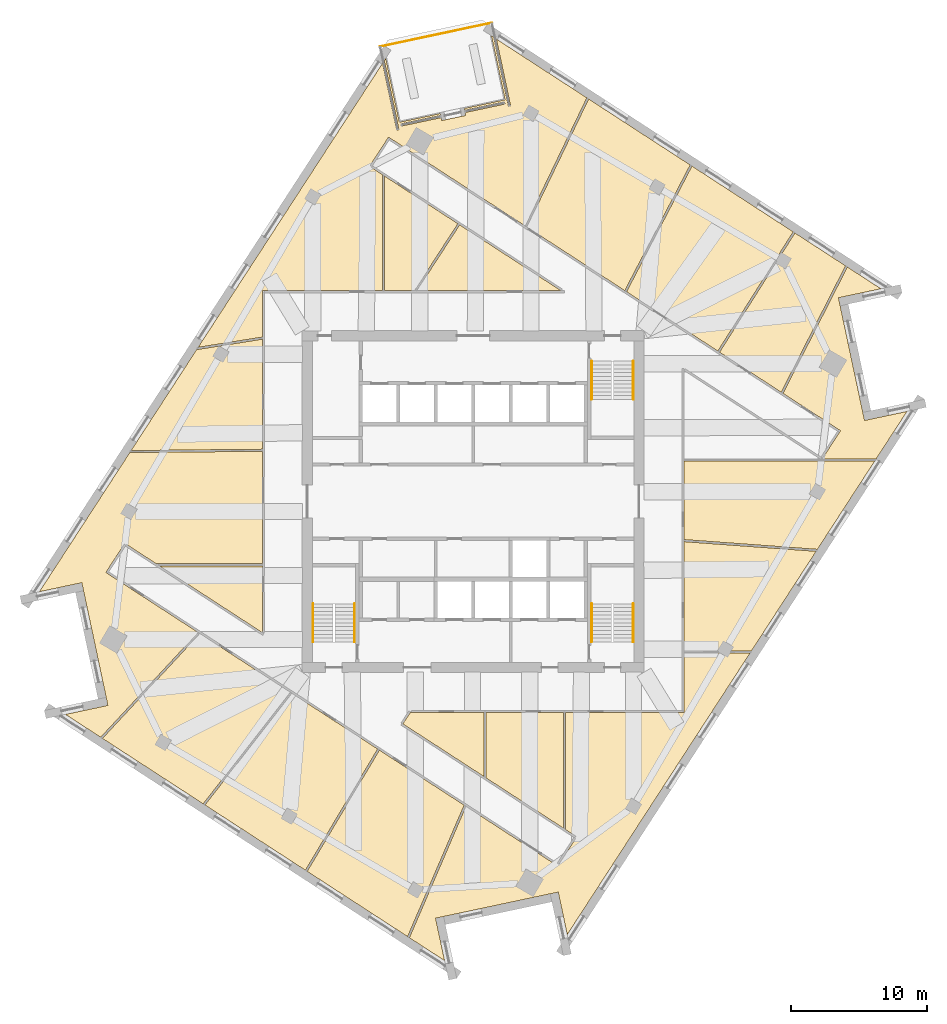
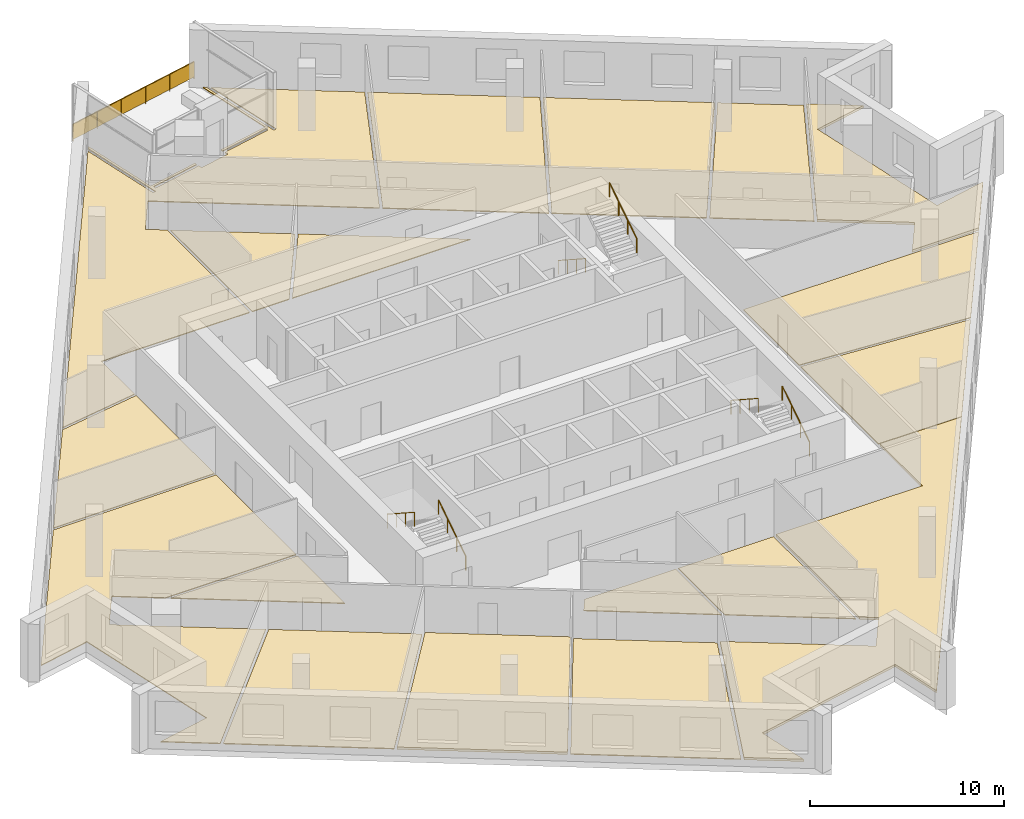
# One storey, part 11 of 12: 18 coverings, 7 railings.
"""IFC4 building model written with IfcOpenShell, lengths in metres."""

from ifc_helpers import new_model, si_unit, direction, frame, origin, origin_2d, place, context, subcontext, project, spatial, polyline, rectangle, circle, outline, extrude, material, layer, layer_set, type_object, element, save


model = new_model("IFC4")

# Units and contexts
model_context = context("Model", 3, precision=1e-05, world=origin(), true_north=direction((0.0, 1.0)))
body_context = subcontext(model_context, "Body", "Model", "MODEL_VIEW")
ifc_project = project(units=[si_unit("LENGTHUNIT", "METRE"), si_unit("AREAUNIT", "SQUARE_METRE"), si_unit("VOLUMEUNIT", "CUBIC_METRE"), si_unit("PLANEANGLEUNIT", "RADIAN"), si_unit("MASSUNIT", "GRAM", prefix="KILO")], contexts=[model_context])

# Site, building, storey
site_placement = place(None, origin())
site = spatial("IfcSite", under=ifc_project, at=site_placement, CompositionType="ELEMENT")
building_placement = place(site_placement, origin())
building = spatial("IfcBuilding", under=site, at=building_placement, Name="Dilmun Exchange Tower", CompositionType="ELEMENT")
storey_placement = place(building_placement, frame((0.0, 0.0, 258.89990234375)))
storey = spatial("IfcBuildingStorey", under=building, at=storey_placement, Name="L61", CompositionType="ELEMENT", Elevation=258.89990234375)

# Coverings
ifc_material_1 = material(Name="Carpet floor finish 50")
ifc_layer_1 = layer(ifc_material_1, 0.050048828125)
ifc_layer_set_1 = layer_set([ifc_layer_1], Name="Carpet floor finish 50")
covering_type_1 = type_object("IfcCoveringType", Name="Carpet floor finish 50", PredefinedType="FLOORING", material=ifc_layer_set_1)
covering_1_placement = place(storey_placement, origin())
element("IfcCovering", 1, at=covering_1_placement, inside=storey, type_object=covering_type_1, Name="Carpet floor finish 50 Regulator office 1", PredefinedType="FLOORING", context=body_context, shape_type="SweptSolid", body=[
    extrude(outline(polyline([(-15.47509765625, 3.6923828125), (-15.47509765625, -4.56201171875), (-23.261474609375, -4.56201171875), (-25.568603515625, -3.063720703125), (-26.95751953125, -5.202392578125), (-20.185546875, -9.60009765625), (-27.33740234375, -17.2998046875), (-29.924560546875, -15.619873046875), (-26.81201171875, -14.958251953125), (-26.811767578125, -14.958251953125), (-26.8115234375, -14.9580078125), (-26.8115234375, -14.9580078125), (-26.811279296875, -14.9580078125), (-26.81103515625, -14.957763671875), (-26.81103515625, -14.95751953125), (-26.810791015625, -14.95751953125), (-26.810791015625, -14.957275390625), (-26.810791015625, -14.957275390625), (-26.810546875, -14.95703125), (-26.810546875, -14.956787109375), (-26.810546875, -14.95654296875), (-26.810302734375, -14.956298828125), (-26.810302734375, -14.956298828125), (-26.810302734375, -14.9560546875), (-26.810546875, -14.955810546875), (-26.935302734375, -14.369140625), (-26.935302734375, -14.369140625), (-26.935302734375, -14.368896484375), (-28.598388671875, -6.543701171875), (-28.598388671875, -6.54345703125), (-28.5986328125, -6.543212890625), (-28.5986328125, -6.543212890625), (-28.723388671875, -5.956787109375), (-28.723388671875, -5.956787109375), (-28.723388671875, -5.95654296875), (-28.723388671875, -5.956298828125), (-28.7236328125, -5.9560546875), (-28.7236328125, -5.9560546875), (-28.723876953125, -5.955810546875), (-28.72412109375, -5.955810546875), (-28.72412109375, -5.95556640625), (-28.724365234375, -5.95556640625), (-28.724609375, -5.955322265625), (-28.724609375, -5.955322265625), (-28.724853515625, -5.955322265625), (-28.72509765625, -5.955322265625), (-28.725341796875, -5.955322265625), (-28.7255859375, -5.955322265625), (-28.7255859375, -5.955322265625), (-31.83837890625, -6.616943359375), (-25.206298828125, 3.595458984375), (-15.47509765625, 3.6923828125)])), origin(), (0.0, 0.0, 1.0), 0.050048828125),
])
covering_2_placement = place(storey_placement, origin())
element("IfcCovering", 2, at=covering_2_placement, inside=storey, type_object=covering_type_1, Name="Carpet floor finish 50 Supervision hall", PredefinedType="FLOORING", context=body_context, shape_type="SweptSolid", body=[
    extrude(outline(polyline([(-13.423583984375, -13.9912109375), (-19.814208984375, -22.185546875), (-27.209716796875, -17.3828125), (-20.057861328125, -9.68310546875), (-13.423583984375, -13.9912109375)])), origin(), (0.0, 0.0, 1.0), 0.050048828125),
])
covering_3_placement = place(storey_placement, origin())
element("IfcCovering", 3, at=covering_3_placement, inside=storey, type_object=covering_type_1, Name="Carpet floor finish 50 Training room 1", PredefinedType="FLOORING", context=body_context, shape_type="SweptSolid", body=[
    extrude(outline(polyline([(-15.47509765625, 3.84228515625), (-25.108154296875, 3.74658203125), (-20.299072265625, 11.15185546875), (-15.47509765625, 11.92041015625), (-15.47509765625, 3.84228515625)])), origin(), (0.0, 0.0, 1.0), 0.050048828125),
])
covering_4_placement = place(storey_placement, origin())
element("IfcCovering", 4, at=covering_4_placement, inside=storey, type_object=covering_type_1, Name="Carpet floor finish 50 Meeting room 1", PredefinedType="FLOORING", context=body_context, shape_type="SweptSolid", body=[
    extrude(outline(polyline([(-15.47509765625, -4.712158203125), (-15.47509765625, -9.61865234375), (-23.030517578125, -4.712158203125), (-15.47509765625, -4.712158203125)])), origin(), (0.0, 0.0, 1.0), 0.050048828125),
])
covering_5_placement = place(storey_placement, origin())
element("IfcCovering", 5, at=covering_5_placement, inside=storey, type_object=covering_type_1, Name="Carpet floor finish 50 Hearing room", PredefinedType="FLOORING", context=body_context, shape_type="SweptSolid", body=[
    extrude(outline(polyline([(-6.882568359375, -18.2392578125), (-0.660888671875, -22.279541015625), (-4.811279296875, -31.928466796875), (-12.1845703125, -27.140380859375), (-6.882568359375, -18.2392578125)])), origin(), (0.0, 0.0, 1.0), 0.050048828125),
])
covering_6_placement = place(storey_placement, origin())
element("IfcCovering", 6, at=covering_6_placement, inside=storey, type_object=covering_type_1, Name="Carpet floor finish 50 Garden lounge", PredefinedType="FLOORING", context=body_context, shape_type="SweptSolid", body=[
    extrude(outline(polyline([(-2.42138671875, 28.47998046875), (-2.3916015625, 28.340087890625), (-5.3134765625, 27.718994140625), (-5.313720703125, 27.718994140625), (-5.31396484375, 27.718994140625), (-5.314208984375, 27.718994140625), (-5.314208984375, 27.71875), (-5.314453125, 27.71875), (-5.314697265625, 27.718505859375), (-5.314697265625, 27.718505859375), (-5.314697265625, 27.71826171875), (-5.31494140625, 27.718017578125), (-5.31494140625, 27.718017578125), (-5.315185546875, 27.7177734375), (-5.315185546875, 27.717529296875), (-5.315185546875, 27.71728515625), (-5.315185546875, 27.717041015625), (-5.315185546875, 27.716796875), (-5.315185546875, 27.716796875), (-5.28173828125, 27.560302734375), (-5.28173828125, 27.56005859375), (-5.28173828125, 27.559814453125), (-5.281494140625, 27.559814453125), (-5.281494140625, 27.5595703125), (-5.281494140625, 27.559326171875), (-5.28125, 27.55908203125), (-5.281005859375, 27.55908203125), (-5.281005859375, 27.55908203125), (-5.28076171875, 27.558837890625), (-5.280517578125, 27.558837890625), (-5.280517578125, 27.55859375), (-5.2802734375, 27.55859375), (-5.280029296875, 27.55859375), (-5.27978515625, 27.55859375), (-5.279541015625, 27.55859375), (-5.279541015625, 27.55859375), (-2.357666015625, 28.1796875), (-2.312255859375, 27.96630859375), (-2.312255859375, 27.96630859375), (-2.312255859375, 27.966064453125), (-2.31201171875, 27.9658203125), (-2.31201171875, 27.9658203125), (-2.311767578125, 27.965576171875), (-2.311767578125, 27.96533203125), (-2.3115234375, 27.96533203125), (-2.311279296875, 27.965087890625), (-2.311279296875, 27.965087890625), (-2.31103515625, 27.965087890625), (-2.310791015625, 27.96484375), (-2.310791015625, 27.96484375), (-2.310546875, 27.96484375), (-2.310302734375, 27.96484375), (-2.31005859375, 27.96484375), (-2.309814453125, 27.96484375), (-0.54931640625, 28.339111328125), (-0.549072265625, 28.33935546875), (-0.548828125, 28.33935546875), (-0.548583984375, 28.33935546875), (-0.548583984375, 28.339599609375), (-0.54833984375, 28.339599609375), (-0.54833984375, 28.33984375), (-0.548095703125, 28.33984375), (-0.548095703125, 28.340087890625), (-0.5478515625, 28.340087890625), (-0.5478515625, 28.34033203125), (-0.5478515625, 28.340576171875), (-0.547607421875, 28.3408203125), (-0.547607421875, 28.341064453125), (-0.547607421875, 28.34130859375), (-0.547607421875, 28.34130859375), (-0.5478515625, 28.341552734375), (-0.593017578125, 28.5546875), (2.32861328125, 29.17578125), (2.328857421875, 29.17578125), (2.3291015625, 29.17578125), (2.329345703125, 29.176025390625), (2.32958984375, 29.176025390625), (2.32958984375, 29.17626953125), (2.329833984375, 29.176513671875), (2.329833984375, 29.176513671875), (2.330078125, 29.1767578125), (2.330078125, 29.1767578125), (2.330078125, 29.177001953125), (2.330322265625, 29.17724609375), (2.330322265625, 29.177490234375), (2.330322265625, 29.177490234375), (2.330322265625, 29.177734375), (2.330322265625, 29.177978515625), (2.330322265625, 29.17822265625), (2.297119140625, 29.334716796875), (2.297119140625, 29.3349609375), (2.296875, 29.3349609375), (2.296875, 29.335205078125), (2.296630859375, 29.33544921875), (2.296630859375, 29.33544921875), (2.29638671875, 29.335693359375), (2.29638671875, 29.335693359375), (2.296142578125, 29.3359375), (2.2958984375, 29.3359375), (2.2958984375, 29.336181640625), (2.295654296875, 29.336181640625), (2.29541015625, 29.336181640625), (2.295166015625, 29.336181640625), (2.294921875, 29.336181640625), (2.294921875, 29.336181640625), (2.294677734375, 29.336181640625), (-0.627197265625, 28.715087890625), (-0.656982421875, 28.85498046875), (2.33837890625, 29.49169921875), (1.34130859375, 34.181884765625), (1.510986328125, 34.072021484375), (2.58740234375, 29.008056640625), (2.58740234375, 29.0078125), (2.58740234375, 29.007568359375), (2.58740234375, 29.00732421875), (2.587646484375, 29.007080078125), (2.587646484375, 29.007080078125), (2.587890625, 29.0068359375), (2.587890625, 29.0068359375), (2.588134765625, 29.006591796875), (2.58837890625, 29.006591796875), (2.58837890625, 29.006591796875), (2.588623046875, 29.00634765625), (2.5888671875, 29.00634765625), (2.589111328125, 29.00634765625), (2.58935546875, 29.00634765625), (2.589599609375, 29.00634765625), (2.589599609375, 29.00634765625), (2.74609375, 29.039794921875), (2.746337890625, 29.039794921875), (2.74658203125, 29.039794921875), (2.74658203125, 29.039794921875), (2.746826171875, 29.0400390625), (2.7470703125, 29.0400390625), (2.747314453125, 29.040283203125), (2.747314453125, 29.040283203125), (2.747314453125, 29.04052734375), (2.74755859375, 29.040771484375), (2.74755859375, 29.041015625), (2.747802734375, 29.041015625), (2.747802734375, 29.041259765625), (2.747802734375, 29.04150390625), (2.747802734375, 29.041748046875), (2.747802734375, 29.0419921875), (2.747802734375, 29.0419921875), (1.705322265625, 33.945556640625), (8.3466796875, 29.6328125), (3.814208984375, 20.231689453125), (-6.2119140625, 26.742919921875), (-7.600830078125, 24.604248046875), (-6.6640625, 23.99609375), (-6.6640625, 15.47509765625), (-15.47509765625, 15.47509765625), (-15.47509765625, 12.072265625), (-20.18896484375, 11.3212890625), (-6.650146484375, 32.16943359375), (-5.60791015625, 27.26611328125), (-5.60791015625, 27.265869140625), (-5.607666015625, 27.265625), (-5.607666015625, 27.265380859375), (-5.607421875, 27.265380859375), (-5.607421875, 27.26513671875), (-5.607177734375, 27.264892578125), (-5.607177734375, 27.264892578125), (-5.60693359375, 27.264892578125), (-5.606689453125, 27.2646484375), (-5.606689453125, 27.2646484375), (-5.6064453125, 27.264404296875), (-5.606201171875, 27.264404296875), (-5.60595703125, 27.264404296875), (-5.605712890625, 27.264404296875), (-5.605712890625, 27.264404296875), (-5.60546875, 27.264404296875), (-5.448974609375, 27.2978515625), (-5.44873046875, 27.2978515625), (-5.448486328125, 27.2978515625), (-5.448486328125, 27.298095703125), (-5.4482421875, 27.298095703125), (-5.447998046875, 27.298095703125), (-5.447998046875, 27.29833984375), (-5.44775390625, 27.298583984375), (-5.44775390625, 27.298583984375), (-5.447509765625, 27.298828125), (-5.447509765625, 27.299072265625), (-5.447509765625, 27.29931640625), (-5.447509765625, 27.29931640625), (-5.447509765625, 27.299560546875), (-5.447265625, 27.2998046875), (-5.447509765625, 27.300048828125), (-5.447509765625, 27.300048828125), (-6.523681640625, 32.364013671875), (-6.41357421875, 32.53369140625), (-5.41650390625, 27.843505859375), (-2.42138671875, 28.47998046875)])), origin(), (0.0, 0.0, 1.0), 0.050048828125),
])
covering_7_placement = place(storey_placement, origin())
element("IfcCovering", 7, at=covering_7_placement, inside=storey, type_object=covering_type_1, Name="Carpet floor finish 50 Training room 2", PredefinedType="FLOORING", context=body_context, shape_type="SweptSolid", body=[
    extrude(outline(polyline([(-6.51416015625, 15.47509765625), (-6.51416015625, 23.898681640625), (-1.11962890625, 20.3955078125), (-4.31494140625, 15.47509765625), (-6.51416015625, 15.47509765625)])), origin(), (0.0, 0.0, 1.0), 0.050048828125),
])
covering_8_placement = place(storey_placement, origin())
element("IfcCovering", 8, at=covering_8_placement, inside=storey, type_object=covering_type_1, Name="Carpet floor finish 50 Meeting room 2", PredefinedType="FLOORING", context=body_context, shape_type="SweptSolid", body=[
    extrude(outline(polyline([(0.802490234375, -20.189208984375), (-5.1611328125, -16.316650390625), (-4.61474609375, -15.47509765625), (0.802490234375, -15.47509765625), (0.802490234375, -20.189208984375)])), origin(), (0.0, 0.0, 1.0), 0.050048828125),
])
covering_9_placement = place(storey_placement, origin())
element("IfcCovering", 9, at=covering_9_placement, inside=storey, type_object=covering_type_1, Name="Carpet floor finish 50 Regulator office 2", PredefinedType="FLOORING", context=body_context, shape_type="SweptSolid", body=[
    extrude(outline(polyline([(6.6220703125, -15.47509765625), (6.6220703125, -23.96875), (0.952392578125, -20.286865234375), (0.952392578125, -15.47509765625), (6.6220703125, -15.47509765625)])), origin(), (0.0, 0.0, 1.0), 0.050048828125),
])
covering_10_placement = place(storey_placement, origin())
element("IfcCovering", 10, at=covering_10_placement, inside=storey, type_object=covering_type_1, Name="Carpet floor finish 50 Regulator office 3", PredefinedType="FLOORING", context=body_context, shape_type="SweptSolid", body=[
    extrude(outline(polyline([(3.94091796875, 20.1494140625), (8.473388671875, 29.55029296875), (15.930419921875, 24.707763671875), (11.12841796875, 15.48193359375), (3.94091796875, 20.1494140625)])), origin(), (0.0, 0.0, 1.0), 0.050048828125),
])
covering_11_placement = place(storey_placement, origin())
element("IfcCovering", 11, at=covering_11_placement, inside=storey, type_object=covering_type_1, Name="Carpet floor finish 50 Research library", PredefinedType="FLOORING", context=body_context, shape_type="SweptSolid", body=[
    extrude(outline(polyline([(11.254638671875, 15.39990234375), (16.056640625, 24.625732421875), (23.48779296875, 19.7998046875), (17.95751953125, 11.047119140625), (11.254638671875, 15.39990234375)])), origin(), (0.0, 0.0, 1.0), 0.050048828125),
])
covering_12_placement = place(storey_placement, origin())
element("IfcCovering", 12, at=covering_12_placement, inside=storey, type_object=covering_type_1, Name="Carpet floor finish 50 Regulator office 4", PredefinedType="FLOORING", context=body_context, shape_type="SweptSolid", body=[
    extrude(outline(polyline([(25.170654296875, -3.650146484375), (20.41455078125, -10.97412109375), (15.47509765625, -10.95361328125), (15.47509765625, -2.94091796875), (25.170654296875, -3.650146484375)])), origin(), (0.0, 0.0, 1.0), 0.050048828125),
])
covering_13_placement = place(storey_placement, origin())
element("IfcCovering", 13, at=covering_13_placement, inside=storey, type_object=covering_type_1, Name="Carpet floor finish 50 Meeting room 3", PredefinedType="FLOORING", context=body_context, shape_type="SweptSolid", body=[
    extrude(outline(polyline([(29.474365234375, 2.976806640625), (25.263916015625, -3.506591796875), (15.47509765625, -2.79052734375), (15.47509765625, 2.976806640625), (29.474365234375, 2.976806640625)])), origin(), (0.0, 0.0, 1.0), 0.050048828125),
])
covering_14_placement = place(storey_placement, origin())
element("IfcCovering", 14, at=covering_14_placement, inside=storey, type_object=covering_type_1, Name="Carpet floor finish 50 Training room 3", PredefinedType="FLOORING", context=body_context, shape_type="SweptSolid", body=[
    extrude(outline(polyline([(18.08349609375, 10.96533203125), (23.613525390625, 19.71826171875), (27.33349609375, 17.302490234375), (22.61279296875, 8.023681640625), (18.08349609375, 10.96533203125)])), origin(), (0.0, 0.0, 1.0), 0.050048828125),
])
ifc_material_2 = material(Name="Raised access floor 150")
ifc_layer_2 = layer(ifc_material_2, 0.14990234375)
ifc_layer_set_2 = layer_set([ifc_layer_2], Name="Raised access floor 150")
covering_type_2 = type_object("IfcCoveringType", Name="Raised access floor 150", PredefinedType="FLOORING", material=ifc_layer_set_2)
covering_15_placement = place(storey_placement, origin())
element("IfcCovering", 15, at=covering_15_placement, inside=storey, type_object=covering_type_2, Name="Raised access floor 150 Analytics room 1", PredefinedType="FLOORING", context=body_context, shape_type="SweptSolid", body=[
    extrude(outline(polyline([(-13.297607421875, -14.0732421875), (-7.00830078125, -18.157470703125), (-12.310546875, -27.05859375), (-19.68798828125, -22.267578125), (-13.297607421875, -14.0732421875)])), origin(), (0.0, 0.0, 1.0), 0.150146484375),
])
covering_16_placement = place(storey_placement, origin())
element("IfcCovering", 16, at=covering_16_placement, inside=storey, type_object=covering_type_2, Name="Raised access floor 150 Analytics room 2", PredefinedType="FLOORING", context=body_context, shape_type="SweptSolid", body=[
    extrude(outline(polyline([(7.600830078125, -24.604248046875), (6.77197265625, -24.066162109375), (6.77197265625, -15.47509765625), (15.47509765625, -15.47509765625), (15.47509765625, -11.103515625), (20.3173828125, -11.123779296875), (6.90478515625, -31.777099609375), (6.243408203125, -28.664306640625), (6.243408203125, -28.664306640625), (6.2431640625, -28.6640625), (6.2431640625, -28.663818359375), (6.242919921875, -28.663818359375), (6.242919921875, -28.66357421875), (6.24267578125, -28.663330078125), (6.24267578125, -28.663330078125), (6.242431640625, -28.6630859375), (6.2421875, -28.6630859375), (6.2421875, -28.6630859375), (6.241943359375, -28.662841796875), (6.24169921875, -28.662841796875), (6.241455078125, -28.662841796875), (6.2412109375, -28.662841796875), (6.2412109375, -28.662841796875), (6.240966796875, -28.662841796875), (5.654052734375, -28.78759765625), (-2.171142578125, -30.450927734375), (-2.17138671875, -30.450927734375), (-2.17138671875, -30.450927734375), (-2.171630859375, -30.451171875), (-2.758056640625, -30.57568359375), (-2.75830078125, -30.57568359375), (-2.75830078125, -30.57568359375), (-2.758544921875, -30.575927734375), (-2.7587890625, -30.575927734375), (-2.7587890625, -30.576171875), (-2.759033203125, -30.576416015625), (-2.759033203125, -30.576416015625), (-2.75927734375, -30.57666015625), (-2.75927734375, -30.57666015625), (-2.759521484375, -30.576904296875), (-2.759521484375, -30.5771484375), (-2.759521484375, -30.577392578125), (-2.759521484375, -30.577392578125), (-2.759521484375, -30.57763671875), (-2.759521484375, -30.577880859375), (-2.759521484375, -30.578125), (-2.097900390625, -33.690673828125), (-4.68359375, -32.011474609375), (-0.533447265625, -22.3623046875), (6.2119140625, -26.742919921875), (7.600830078125, -24.604248046875)])), origin(), (0.0, 0.0, 1.0), 0.150146484375),
])
covering_17_placement = place(storey_placement, origin())
element("IfcCovering", 17, at=covering_17_placement, inside=storey, type_object=covering_type_2, Name="Raised access floor 150 Analytics room 3", PredefinedType="FLOORING", context=body_context, shape_type="SweptSolid", body=[
    extrude(outline(polyline([(26.95751953125, 5.202392578125), (22.739501953125, 7.941650390625), (27.4599609375, 17.22021484375), (29.924560546875, 15.619873046875), (26.81201171875, 14.958251953125), (26.811767578125, 14.958251953125), (26.8115234375, 14.9580078125), (26.8115234375, 14.9580078125), (26.811279296875, 14.9580078125), (26.81103515625, 14.957763671875), (26.81103515625, 14.95751953125), (26.810791015625, 14.95751953125), (26.810791015625, 14.957275390625), (26.810791015625, 14.957275390625), (26.810546875, 14.95703125), (26.810546875, 14.956787109375), (26.810546875, 14.95654296875), (26.810302734375, 14.956298828125), (26.810302734375, 14.956298828125), (26.810302734375, 14.9560546875), (26.810546875, 14.955810546875), (26.935302734375, 14.369140625), (26.935302734375, 14.369140625), (26.935302734375, 14.368896484375), (28.598388671875, 6.543701171875), (28.598388671875, 6.54345703125), (28.5986328125, 6.543212890625), (28.5986328125, 6.543212890625), (28.723388671875, 5.956787109375), (28.723388671875, 5.956787109375), (28.723388671875, 5.95654296875), (28.723388671875, 5.956298828125), (28.7236328125, 5.9560546875), (28.7236328125, 5.9560546875), (28.723876953125, 5.955810546875), (28.72412109375, 5.955810546875), (28.72412109375, 5.95556640625), (28.724365234375, 5.95556640625), (28.724609375, 5.955322265625), (28.724609375, 5.955322265625), (28.724853515625, 5.955322265625), (28.72509765625, 5.955322265625), (28.725341796875, 5.955322265625), (28.7255859375, 5.955322265625), (28.7255859375, 5.955322265625), (31.83837890625, 6.616943359375), (29.572021484375, 3.126953125), (25.609619140625, 3.126953125), (26.95751953125, 5.202392578125)])), origin(), (0.0, 0.0, 1.0), 0.150146484375),
])

# Railings
ifc_material_3 = material(Name="Stainless steel", Category="steel")
railing_type_1 = type_object("IfcRailingType", Name="Stair handrail 900", PredefinedType="HANDRAIL", material=ifc_material_3)
railing_1_placement = place(storey_placement, frame((8.699951171875, 10.300048828125, 0.181884765625)))
element("IfcRailing", 18, at=railing_1_placement, inside=storey, type_object=railing_type_1, Name="L61 ST1 stair handrail 1", PredefinedType="HANDRAIL", context=body_context, shape_type="SweptSolid", body=[
    extrude(circle(Radius=0.02392578125, at=origin_2d()), frame((0.0, 0.0, 0.8759765625), z_axis=(0.0, -0.838705829183, 0.544584733623), x_axis=(1.0, 0.0, 0.0)), (0.0, 0.0, 1.0), 3.338623046875),
    extrude(circle(Radius=0.02099609375, at=origin_2d()), origin(), (0.0, 0.0, 1.0), 0.851806640625),
    extrude(circle(Radius=0.02099609375, at=origin_2d()), frame((0.0, -0.933349609375, 0.60595703125)), (0.0, 0.0, 1.0), 0.851806640625),
    extrude(circle(Radius=0.02099609375, at=origin_2d()), frame((0.0, -1.86669921875, 1.212158203125)), (0.0, 0.0, 1.0), 0.851806640625),
    extrude(circle(Radius=0.02099609375, at=origin_2d()), frame((0.0, -2.800048828125, 1.818115234375)), (0.0, 0.0, 1.0), 0.851806640625),
])
for number, where, name in (
    (19, (11.75, 7.5, 2.181884765625), "L61 ST1 stair handrail 2"),
    (20, (-8.699951171875, -10.300048828125, 0.181884765625), "L61 ST2 stair handrail 1"),
):
    element("IfcRailing", number, at=place(storey_placement, frame(where)), inside=storey, type_object=railing_type_1, Name=name, PredefinedType="HANDRAIL", context=body_context, shape_type="SweptSolid", body=[
        extrude(circle(Radius=0.02392578125, at=origin_2d()), frame((0.0, 0.0, 0.8759765625), z_axis=(0.0, 0.838705829183, 0.544584733623), x_axis=(-1.0, 0.0, 0.0)), (0.0, 0.0, 1.0), 3.338623046875),
        extrude(circle(Radius=0.02099609375, at=origin_2d()), origin(), (0.0, 0.0, 1.0), 0.851806640625),
        extrude(circle(Radius=0.02099609375, at=origin_2d()), frame((0.0, 0.933349609375, 0.60595703125)), (0.0, 0.0, 1.0), 0.851806640625),
        extrude(circle(Radius=0.02099609375, at=origin_2d()), frame((0.0, 1.86669921875, 1.212158203125)), (0.0, 0.0, 1.0), 0.851806640625),
        extrude(circle(Radius=0.02099609375, at=origin_2d()), frame((0.0, 2.800048828125, 1.818115234375)), (0.0, 0.0, 1.0), 0.851806640625),
    ])
railing_2_placement = place(storey_placement, frame((-11.75, -7.5, 2.181884765625)))
element("IfcRailing", 21, at=railing_2_placement, inside=storey, type_object=railing_type_1, Name="L61 ST2 stair handrail 2", PredefinedType="HANDRAIL", context=body_context, shape_type="SweptSolid", body=[
    extrude(circle(Radius=0.02392578125, at=origin_2d()), frame((0.0, 0.0, 0.8759765625), z_axis=(0.0, -0.838705829183, 0.544584733623), x_axis=(1.0, 0.0, 0.0)), (0.0, 0.0, 1.0), 3.338623046875),
    extrude(circle(Radius=0.02099609375, at=origin_2d()), origin(), (0.0, 0.0, 1.0), 0.851806640625),
    extrude(circle(Radius=0.02099609375, at=origin_2d()), frame((0.0, -0.933349609375, 0.60595703125)), (0.0, 0.0, 1.0), 0.851806640625),
    extrude(circle(Radius=0.02099609375, at=origin_2d()), frame((0.0, -1.86669921875, 1.212158203125)), (0.0, 0.0, 1.0), 0.851806640625),
    extrude(circle(Radius=0.02099609375, at=origin_2d()), frame((0.0, -2.800048828125, 1.818115234375)), (0.0, 0.0, 1.0), 0.851806640625),
])
railing_3_placement = place(storey_placement, frame((11.75, -10.300048828125, 0.181884765625)))
element("IfcRailing", 22, at=railing_3_placement, inside=storey, type_object=railing_type_1, Name="L61 ST3 stair handrail 1", PredefinedType="HANDRAIL", context=body_context, shape_type="SweptSolid", body=[
    extrude(circle(Radius=0.02392578125, at=origin_2d()), frame((0.0, 0.0, 0.8759765625), z_axis=(0.0, 0.838705829183, 0.544584733623), x_axis=(-1.0, 0.0, 0.0)), (0.0, 0.0, 1.0), 3.338623046875),
    extrude(circle(Radius=0.02099609375, at=origin_2d()), origin(), (0.0, 0.0, 1.0), 0.851806640625),
    extrude(circle(Radius=0.02099609375, at=origin_2d()), frame((0.0, 0.933349609375, 0.60595703125)), (0.0, 0.0, 1.0), 0.851806640625),
    extrude(circle(Radius=0.02099609375, at=origin_2d()), frame((0.0, 1.86669921875, 1.212158203125)), (0.0, 0.0, 1.0), 0.851806640625),
    extrude(circle(Radius=0.02099609375, at=origin_2d()), frame((0.0, 2.800048828125, 1.818115234375)), (0.0, 0.0, 1.0), 0.851806640625),
])
railing_4_placement = place(storey_placement, frame((8.699951171875, -7.5, 2.181884765625)))
element("IfcRailing", 23, at=railing_4_placement, inside=storey, type_object=railing_type_1, Name="L61 ST3 stair handrail 2", PredefinedType="HANDRAIL", context=body_context, shape_type="SweptSolid", body=[
    extrude(circle(Radius=0.02392578125, at=origin_2d()), frame((0.0, 0.0, 0.8759765625), z_axis=(0.0, -0.838705829183, 0.544584733623), x_axis=(1.0, 0.0, 0.0)), (0.0, 0.0, 1.0), 3.338623046875),
    extrude(circle(Radius=0.02099609375, at=origin_2d()), origin(), (0.0, 0.0, 1.0), 0.851806640625),
    extrude(circle(Radius=0.02099609375, at=origin_2d()), frame((0.0, -0.933349609375, 0.60595703125)), (0.0, 0.0, 1.0), 0.851806640625),
    extrude(circle(Radius=0.02099609375, at=origin_2d()), frame((0.0, -1.86669921875, 1.212158203125)), (0.0, 0.0, 1.0), 0.851806640625),
    extrude(circle(Radius=0.02099609375, at=origin_2d()), frame((0.0, -2.800048828125, 1.818115234375)), (0.0, 0.0, 1.0), 0.851806640625),
])
railing_type_2 = type_object("IfcRailingType", Name="Terrace guard 1100 stainless steel", PredefinedType="GUARDRAIL", material=ifc_material_3)
railing_5_placement = place(storey_placement, frame((-6.826416015625, 33.39306640625, 0.0)))
element("IfcRailing", 24, at=railing_5_placement, inside=storey, type_object=railing_type_2, Name="Terrace guard 1", PredefinedType="GUARDRAIL", context=body_context, shape_type="SweptSolid", body=[
    extrude(circle(Radius=0.02392578125, at=origin_2d()), frame((0.0, 0.0, 1.076171875), z_axis=(0.978148185403, 0.207908940147, 0.0), x_axis=(-0.207908940147, 0.978148185403, 0.0)), (0.0, 0.0, 1.0), 8.37841796875),
    extrude(rectangle(XDim=0.011962890625, YDim=0.951904296875, at=origin_2d()), frame((0.0, 0.0, 0.576171875), z_axis=(0.978148185403, 0.207908940147, 0.0), x_axis=(-0.207908940147, 0.978148185403, 0.0)), (0.0, 0.0, 1.0), 8.37841796875),
    extrude(circle(Radius=0.02099609375, at=origin_2d()), origin(), (0.0, 0.0, 1.0), 1.052001953125),
    extrude(circle(Radius=0.02099609375, at=origin_2d()), frame((1.63916015625, 0.348388671875, 0.0)), (0.0, 0.0, 1.0), 1.052001953125),
    extrude(circle(Radius=0.02099609375, at=origin_2d()), frame((3.278076171875, 0.69677734375, 0.0)), (0.0, 0.0, 1.0), 1.052001953125),
    extrude(circle(Radius=0.02099609375, at=origin_2d()), frame((4.917236328125, 1.045166015625, 0.0)), (0.0, 0.0, 1.0), 1.052001953125),
    extrude(circle(Radius=0.02099609375, at=origin_2d()), frame((6.55615234375, 1.3935546875, 0.0)), (0.0, 0.0, 1.0), 1.052001953125),
    extrude(circle(Radius=0.02099609375, at=origin_2d()), frame((8.1953125, 1.741943359375, 0.0)), (0.0, 0.0, 1.0), 1.052001953125),
])

# Covering
ifc_material_4 = material(Name="Tile floor finish 50")
ifc_layer_3 = layer(ifc_material_4, 0.050048828125)
ifc_layer_set_3 = layer_set([ifc_layer_3], Name="Tile floor finish 50")
covering_type_3 = type_object("IfcCoveringType", Name="Tile floor finish 50", PredefinedType="FLOORING", material=ifc_layer_set_3)
covering_18_placement = place(storey_placement, origin())
element("IfcCovering", 25, at=covering_18_placement, inside=storey, type_object=covering_type_3, Name="Tile floor finish 50 Pantry", PredefinedType="FLOORING", context=body_context, shape_type="SweptSolid", body=[
    extrude(outline(polyline([(-0.993896484375, 20.313720703125), (6.45703125, 15.47509765625), (-4.135986328125, 15.47509765625), (-0.993896484375, 20.313720703125)])), origin(), (0.0, 0.0, 1.0), 0.050048828125),
])

save(model, "model.ifc")
